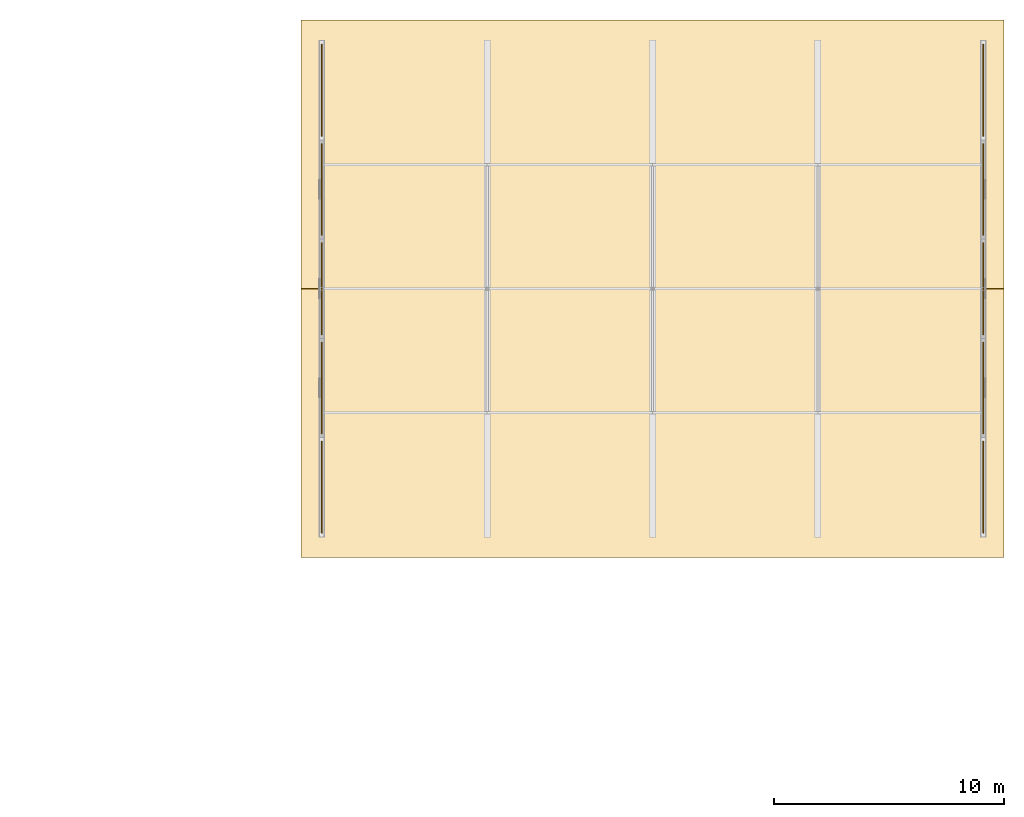
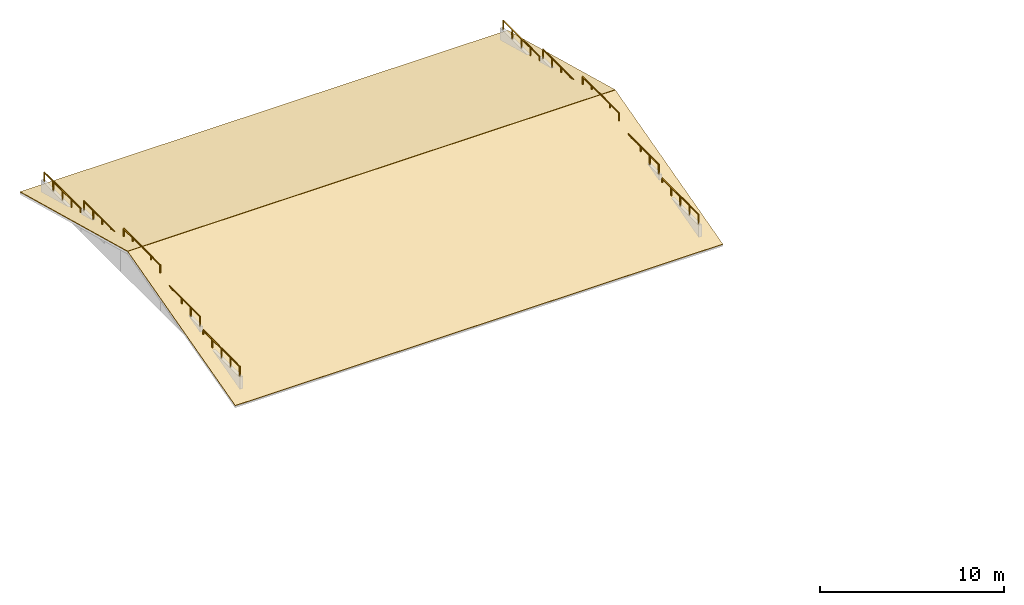
# One storey, part 22 of 22: 10 railings, 2 coverings.
"""IFC4 building model written with IfcOpenShell, lengths in metres."""

import ifcopenshell
import ifcopenshell.guid

model = None  # the IFC model being written
_history = None  # IfcOwnerHistory: only IFC2X3 demands one
_inside = {}  # id of a spatial element -> (the spatial element, [elements in it])
_under = {}  # id of a project, library or spatial element -> (it, [spatial elements below it])
_declared = {}  # id of a project -> (the project, [libraries it declares])
_typed = {}  # id of a type object -> (the type object, [elements of that type])
_made_of = {}  # id of a material, layer set ... -> (it, [elements and type objects made of it])


def new_model(schema):
    """Start an empty IFC model of exactly this schema.

    Asked for "IFC4X3", IfcOpenShell would pick the latest addendum, in which some entities
    have other attributes; the version numbers below select the first issue.
    IFC2X3 requires an IfcOwnerHistory on every rooted entity: one is made here for all.
    """
    global model, _history
    if schema == "IFC4X3":
        model = ifcopenshell.file(schema_version=(4, 3, 0, 0))
    else:
        model = ifcopenshell.file(schema=schema)
    _inside.clear()
    _under.clear()
    _declared.clear()
    _typed.clear()
    _made_of.clear()
    _history = None
    if model.schema == "IFC2X3":
        org = make("IfcOrganization", Name="unknown")
        user = make(
            "IfcPersonAndOrganization",
            ThePerson=make("IfcPerson", FamilyName="unknown"),
            TheOrganization=org,
        )
        app = make(
            "IfcApplication",
            ApplicationDeveloper=org,
            Version="unknown",
            ApplicationFullName="unknown",
            ApplicationIdentifier="unknown",
        )
        _history = make(
            "IfcOwnerHistory",
            OwningUser=user,
            OwningApplication=app,
            ChangeAction="ADDED",
            CreationDate=0,
        )
    return model


def make(cls, **values):
    """One entity of the class cls with the attributes given. An attribute that is None is left unset."""
    return model.create_entity(
        cls, **{name: value for name, value in values.items() if value is not None}
    )


def rooted(cls, **values):
    """An entity with a GlobalId (a new one), such as an element, a storey or a relation."""
    return make(cls, GlobalId=ifcopenshell.guid.new(), OwnerHistory=_history, **values)


def si_unit(unit_type, name, prefix=None):
    """IfcSIUnit, for example si_unit("LENGTHUNIT", "METRE", prefix="MILLI")."""
    return make("IfcSIUnit", UnitType=unit_type, Prefix=prefix, Name=name)


def assignment(units):
    """IfcUnitAssignment: the units of a project."""
    return None if units is None else make("IfcUnitAssignment", Units=units)


def point(xyz):
    """IfcCartesianPoint."""
    return None if xyz is None else make("IfcCartesianPoint", Coordinates=xyz)


def direction(xyz):
    """IfcDirection."""
    return None if xyz is None else make("IfcDirection", DirectionRatios=xyz)


def frame(location, z_axis=None, x_axis=None):
    """IfcAxis2Placement3D, a coordinate frame: its origin and axes. An axis left out is left unset."""
    return make(
        "IfcAxis2Placement3D",
        Location=point(location),
        Axis=direction(z_axis),
        RefDirection=direction(x_axis),
    )


def frame_2d(location, x_axis=None):
    """IfcAxis2Placement2D, a coordinate frame in the plane: its origin and x axis."""
    return make(
        "IfcAxis2Placement2D", Location=point(location), RefDirection=direction(x_axis)
    )


def origin():
    """The frame at (0, 0, 0) with its axes left unset."""
    return frame((0.0, 0.0, 0.0))


def origin_2d():
    """The frame at (0, 0) in the plane with its x axis left unset."""
    return frame_2d((0.0, 0.0))


def place(relative_to, where):
    """IfcLocalPlacement: puts the frame where relative to a parent placement (None: the world)."""
    return make(
        "IfcLocalPlacement", PlacementRelTo=relative_to, RelativePlacement=where
    )


def context(
    kind, dimensions, precision=None, world=None, true_north=None, identifier=None
):
    """IfcGeometricRepresentationContext, for example the 3D "Model" context."""
    return make(
        "IfcGeometricRepresentationContext",
        ContextIdentifier=identifier,
        ContextType=kind,
        CoordinateSpaceDimension=dimensions,
        Precision=precision,
        WorldCoordinateSystem=world,
        TrueNorth=true_north,
    )


def subcontext(parent, identifier, kind, view, scale=None):
    """IfcGeometricRepresentationSubContext, for example "Body" below "Model"."""
    return make(
        "IfcGeometricRepresentationSubContext",
        ContextIdentifier=identifier,
        ContextType=kind,
        ParentContext=parent,
        TargetScale=scale,
        TargetView=view,
    )


def project(units=None, contexts=None):
    """IfcProject with its units and contexts."""
    return rooted(
        "IfcProject",
        Name="project",
        RepresentationContexts=contexts,
        UnitsInContext=assignment(units),
    )


def spatial(cls, under=None, at=None, **own):
    """A site, building, storey or space (cls), placed at a placement, below another one or the project."""
    s = rooted(cls, ObjectPlacement=at, **own)
    if under is not None:
        _under.setdefault(under.id(), (under, []))[1].append(s)
    return s


def polyline(points):
    """IfcPolyline through the points."""
    return make("IfcPolyline", Points=[point(p) for p in points])


def profile(cls, at=None, kind="AREA", **sizes):
    """A parametric profile (cls). Its sizes go by their IFC names, for example OverallWidth=200.0."""
    return make(cls, ProfileType=kind, Position=at, **sizes)


def circle(**sizes):
    """IfcCircleProfileDef."""
    return profile("IfcCircleProfileDef", **sizes)


def outline(outer, holes=None, kind="AREA"):
    """IfcArbitraryClosedProfileDef: a profile drawn as a closed curve; with holes, ...WithVoids."""
    if holes is None:
        return make("IfcArbitraryClosedProfileDef", ProfileType=kind, OuterCurve=outer)
    return make(
        "IfcArbitraryProfileDefWithVoids",
        ProfileType=kind,
        OuterCurve=outer,
        InnerCurves=holes,
    )


def extrude(swept, where, along, depth):
    """IfcExtrudedAreaSolid: the profile swept, set in the frame where, extruded along a direction by depth."""
    return make(
        "IfcExtrudedAreaSolid",
        SweptArea=swept,
        Position=where,
        ExtrudedDirection=direction(along),
        Depth=depth,
    )


def shape(context_of_items, identifier, shape_type, items):
    """IfcShapeRepresentation: the items that make up one representation, for example the "Body"."""
    return make(
        "IfcShapeRepresentation",
        ContextOfItems=context_of_items,
        RepresentationIdentifier=identifier,
        RepresentationType=shape_type,
        Items=items,
    )


def material(Name=None, Category=None):
    """IfcMaterial."""
    return make("IfcMaterial", Name=Name, Category=Category)


def layer(
    of_material, thickness, ventilated=None, Name=None, Category=None, Priority=None
):
    """IfcMaterialLayer: one layer of a wall or slab, of a material (None: an air gap)."""
    return make(
        "IfcMaterialLayer",
        Material=of_material,
        LayerThickness=thickness,
        IsVentilated=ventilated,
        Name=Name,
        Category=Category,
        Priority=Priority,
    )


def layer_set(layers, Name=None):
    """IfcMaterialLayerSet."""
    return make("IfcMaterialLayerSet", MaterialLayers=layers, LayerSetName=Name)


def made_of(thing, what):
    """Note that an element or type object is made of a material, layer set ...; save() writes the relation."""
    if what is not None:
        _made_of.setdefault(what.id(), (what, []))[1].append(thing)
    return thing


def type_object(cls, material=None, **own):
    """A type object (cls), such as IfcWallType, which elements share."""
    return made_of(rooted(cls, **own), material)


def element(
    cls,
    number,
    at=None,
    inside=None,
    cuts=None,
    type_object=None,
    material=None,
    context=None,
    identifier="Body",
    shape_type=None,
    held_by="IfcProductDefinitionShape",
    body=None,
    shapes=None,
    **own,
):
    """One element of the class cls, such as IfcWall. Its Tag is "e" and its number.

    at: its placement. inside: the storey or other place that contains it. cuts: it is an
    opening in that element (IfcRelVoidsElement). A single representation is given by context,
    identifier, shape_type and body (its items); several are given by shapes. held_by: the class
    of the entity that holds the representations. save() writes the other relations.
    """
    e = rooted(cls, Tag="e%d" % number, ObjectPlacement=at, **own)
    if body is not None:
        shapes = [shape(context, identifier, shape_type, body)]
    if shapes is not None:
        e.Representation = make(held_by, Representations=shapes)
    if inside is not None:
        _inside.setdefault(inside.id(), (inside, []))[1].append(e)
    if cuts is not None:
        rooted(
            "IfcRelVoidsElement", RelatingBuildingElement=cuts, RelatedOpeningElement=e
        )
    if type_object is not None:
        _typed.setdefault(type_object.id(), (type_object, []))[1].append(e)
    return made_of(e, material)


def aggregate(whole, parts):
    """IfcRelAggregates: a whole, such as a stair, and the parts it consists of."""
    return rooted("IfcRelAggregates", RelatingObject=whole, RelatedObjects=parts)


def save(model, path):
    """Write the relations noted so far, then the file.

    IfcRelAggregates (storeys below a building ...), IfcRelContainedInSpatialStructure (elements
    in a storey), IfcRelDefinesByType, IfcRelAssociatesMaterial and IfcRelDeclares: one each for
    every whole, place, type object, material and project.
    """
    for whole, parts in _under.values():
        aggregate(whole, parts)
    for where, things in _inside.values():
        rooted(
            "IfcRelContainedInSpatialStructure",
            RelatedElements=things,
            RelatingStructure=where,
        )
    for kind, things in _typed.values():
        rooted("IfcRelDefinesByType", RelatedObjects=things, RelatingType=kind)
    for what, things in _made_of.values():
        rooted("IfcRelAssociatesMaterial", RelatedObjects=things, RelatingMaterial=what)
    for by, libraries in _declared.values():
        rooted("IfcRelDeclares", RelatingContext=by, RelatedDefinitions=libraries)
    model.write(path)


model = new_model("IFC4")

# Units and contexts
model_context = context("Model", 3, precision=1e-05, world=origin(), true_north=direction((0.0, 1.0)))
body_context = subcontext(model_context, "Body", "Model", "MODEL_VIEW")
ifc_project = project(units=[si_unit("LENGTHUNIT", "METRE"), si_unit("AREAUNIT", "SQUARE_METRE"), si_unit("VOLUMEUNIT", "CUBIC_METRE"), si_unit("PLANEANGLEUNIT", "RADIAN"), si_unit("MASSUNIT", "GRAM", prefix="KILO"), si_unit("THERMODYNAMICTEMPERATUREUNIT", "KELVIN"), si_unit("POWERUNIT", "WATT")], contexts=[model_context])

# Site, building, storey
site_placement = place(None, origin())
site = spatial("IfcSite", under=ifc_project, at=site_placement, CompositionType="ELEMENT")
building_placement = place(site_placement, origin())
building = spatial("IfcBuilding", under=site, at=building_placement, Name="Tavuni Mirador Residences", CompositionType="ELEMENT")
storey_placement = place(building_placement, frame((0.0, 0.0, 45.449951171875)))
storey = spatial("IfcBuildingStorey", under=building, at=storey_placement, Name="L14", CompositionType="ELEMENT", Elevation=45.449951171875)

# Coverings
ifc_material_1 = material(Name="Glazed ceramic roof tile", Category="masonry")
ifc_layer = layer(ifc_material_1, 0.044921875, Name="Glazed ceramic roof tile", Category="masonry")
ifc_layer_set = layer_set([ifc_layer], Name="Glazed ceramic roof tile")
covering_type = type_object("IfcCoveringType", Name="CVT-ROOF-TILE", PredefinedType="ROOFING", material=ifc_layer_set)
for number, where, z_axis, x_axis, name in (
    (1, (17.10009765625, 150.300048828125, -0.196533203125), (0.0, -0.259575572579, 0.965722797764), (1.0, 0.0, 0.0), "COV-RF-BLK-C-S"),
    (2, (17.10009765625, 162.011962890625, 2.945068359375), (0.0, 0.259575572579, 0.965722797764), (1.0, 0.0, 0.0), "COV-RF-BLK-C-N"),
):
    element("IfcCovering", number, at=place(storey_placement, frame(where, z_axis=z_axis, x_axis=x_axis)), inside=storey, type_object=covering_type, Name=name, PredefinedType="ROOFING", context=body_context, shape_type="SweptSolid", body=[
        extrude(outline(polyline([(0.0, 0.0), (30.599853515625, 0.0), (30.599853515625, 12.10283976759751), (0.0, 12.10283976759751), (0.0, 0.0)])), origin(), (0.0, 0.0, -1.0), 0.044921875),
    ])

# Railings
ifc_material_2 = material(Name="Structural steel S355", Category="steel")
railing_type = type_object("IfcRailingType", Name="RT-CR650", PredefinedType="BALUSTRADE", material=ifc_material_2)
railing_1_placement = place(storey_placement, frame((18.0, 151.3798828125, 0.800048828125)))
element("IfcRailing", 3, at=railing_1_placement, inside=storey, type_object=railing_type, Name="CREST-BLK-C-Y0-0", PredefinedType="BALUSTRADE", context=body_context, shape_type="SweptSolid", body=[
    extrude(circle(Radius=0.02392578125, at=origin_2d()), frame((0.0, 0.0, 0.6259765625), z_axis=(0.0, 1.0, 0.0), x_axis=(-1.0, 0.0, 0.0)), (0.0, 0.0, 1.0), 3.960205078125),
    extrude(circle(Radius=0.02099609375, at=origin_2d()), origin(), (0.0, 0.0, 1.0), 0.601806640625),
    extrude(circle(Radius=0.02099609375, at=origin_2d()), frame((0.0, 0.989990234375, 0.0)), (0.0, 0.0, 1.0), 0.601806640625),
    extrude(circle(Radius=0.02099609375, at=origin_2d()), frame((0.0, 1.97998046875, 0.0)), (0.0, 0.0, 1.0), 0.601806640625),
    extrude(circle(Radius=0.02099609375, at=origin_2d()), frame((0.0, 2.97021484375, 0.0)), (0.0, 0.0, 1.0), 0.601806640625),
    extrude(circle(Radius=0.02099609375, at=origin_2d()), frame((0.0, 3.960205078125, 0.0)), (0.0, 0.0, 1.0), 0.601806640625),
])
for number, where, name in (
    (4, (18.0, 155.699951171875, 1.5), "CREST-BLK-C-Y0-1"),
    (5, (18.0, 160.02001953125, 2.300048828125), "CREST-BLK-C-Y0-2"),
    (6, (18.0, 164.340087890625, 1.5), "CREST-BLK-C-Y0-3"),
):
    element("IfcRailing", number, at=place(storey_placement, frame(where)), inside=storey, type_object=railing_type, Name=name, PredefinedType="BALUSTRADE", context=body_context, shape_type="SweptSolid", body=[
        extrude(circle(Radius=0.02392578125, at=origin_2d()), frame((0.0, 0.0, 0.6259765625), z_axis=(0.0, 1.0, 0.0), x_axis=(-1.0, 0.0, 0.0)), (0.0, 0.0, 1.0), 3.9599609375),
        extrude(circle(Radius=0.02099609375, at=origin_2d()), origin(), (0.0, 0.0, 1.0), 0.601806640625),
        extrude(circle(Radius=0.02099609375, at=origin_2d()), frame((0.0, 0.989990234375, 0.0)), (0.0, 0.0, 1.0), 0.601806640625),
        extrude(circle(Radius=0.02099609375, at=origin_2d()), frame((0.0, 1.97998046875, 0.0)), (0.0, 0.0, 1.0), 0.601806640625),
        extrude(circle(Radius=0.02099609375, at=origin_2d()), frame((0.0, 2.969970703125, 0.0)), (0.0, 0.0, 1.0), 0.601806640625),
        extrude(circle(Radius=0.02099609375, at=origin_2d()), frame((0.0, 3.9599609375, 0.0)), (0.0, 0.0, 1.0), 0.601806640625),
    ])
for number, where, name in (
    (7, (18.0, 168.659912109375, 0.800048828125), "CREST-BLK-C-Y0-4"),
    (8, (46.800048828125, 151.3798828125, 0.800048828125), "CREST-BLK-C-Y1-0"),
):
    element("IfcRailing", number, at=place(storey_placement, frame(where)), inside=storey, type_object=railing_type, Name=name, PredefinedType="BALUSTRADE", context=body_context, shape_type="SweptSolid", body=[
        extrude(circle(Radius=0.02392578125, at=origin_2d()), frame((0.0, 0.0, 0.6259765625), z_axis=(0.0, 1.0, 0.0), x_axis=(-1.0, 0.0, 0.0)), (0.0, 0.0, 1.0), 3.960205078125),
        extrude(circle(Radius=0.02099609375, at=origin_2d()), origin(), (0.0, 0.0, 1.0), 0.601806640625),
        extrude(circle(Radius=0.02099609375, at=origin_2d()), frame((0.0, 0.989990234375, 0.0)), (0.0, 0.0, 1.0), 0.601806640625),
        extrude(circle(Radius=0.02099609375, at=origin_2d()), frame((0.0, 1.97998046875, 0.0)), (0.0, 0.0, 1.0), 0.601806640625),
        extrude(circle(Radius=0.02099609375, at=origin_2d()), frame((0.0, 2.97021484375, 0.0)), (0.0, 0.0, 1.0), 0.601806640625),
        extrude(circle(Radius=0.02099609375, at=origin_2d()), frame((0.0, 3.960205078125, 0.0)), (0.0, 0.0, 1.0), 0.601806640625),
    ])
for number, where, name in (
    (9, (46.800048828125, 155.699951171875, 1.5), "CREST-BLK-C-Y1-1"),
    (10, (46.800048828125, 160.02001953125, 2.300048828125), "CREST-BLK-C-Y1-2"),
    (11, (46.800048828125, 164.340087890625, 1.5), "CREST-BLK-C-Y1-3"),
):
    element("IfcRailing", number, at=place(storey_placement, frame(where)), inside=storey, type_object=railing_type, Name=name, PredefinedType="BALUSTRADE", context=body_context, shape_type="SweptSolid", body=[
        extrude(circle(Radius=0.02392578125, at=origin_2d()), frame((0.0, 0.0, 0.6259765625), z_axis=(0.0, 1.0, 0.0), x_axis=(-1.0, 0.0, 0.0)), (0.0, 0.0, 1.0), 3.9599609375),
        extrude(circle(Radius=0.02099609375, at=origin_2d()), origin(), (0.0, 0.0, 1.0), 0.601806640625),
        extrude(circle(Radius=0.02099609375, at=origin_2d()), frame((0.0, 0.989990234375, 0.0)), (0.0, 0.0, 1.0), 0.601806640625),
        extrude(circle(Radius=0.02099609375, at=origin_2d()), frame((0.0, 1.97998046875, 0.0)), (0.0, 0.0, 1.0), 0.601806640625),
        extrude(circle(Radius=0.02099609375, at=origin_2d()), frame((0.0, 2.969970703125, 0.0)), (0.0, 0.0, 1.0), 0.601806640625),
        extrude(circle(Radius=0.02099609375, at=origin_2d()), frame((0.0, 3.9599609375, 0.0)), (0.0, 0.0, 1.0), 0.601806640625),
    ])
railing_2_placement = place(storey_placement, frame((46.800048828125, 168.659912109375, 0.800048828125)))
element("IfcRailing", 12, at=railing_2_placement, inside=storey, type_object=railing_type, Name="CREST-BLK-C-Y1-4", PredefinedType="BALUSTRADE", context=body_context, shape_type="SweptSolid", body=[
    extrude(circle(Radius=0.02392578125, at=origin_2d()), frame((0.0, 0.0, 0.6259765625), z_axis=(0.0, 1.0, 0.0), x_axis=(-1.0, 0.0, 0.0)), (0.0, 0.0, 1.0), 3.960205078125),
    extrude(circle(Radius=0.02099609375, at=origin_2d()), origin(), (0.0, 0.0, 1.0), 0.601806640625),
    extrude(circle(Radius=0.02099609375, at=origin_2d()), frame((0.0, 0.989990234375, 0.0)), (0.0, 0.0, 1.0), 0.601806640625),
    extrude(circle(Radius=0.02099609375, at=origin_2d()), frame((0.0, 1.97998046875, 0.0)), (0.0, 0.0, 1.0), 0.601806640625),
    extrude(circle(Radius=0.02099609375, at=origin_2d()), frame((0.0, 2.97021484375, 0.0)), (0.0, 0.0, 1.0), 0.601806640625),
    extrude(circle(Radius=0.02099609375, at=origin_2d()), frame((0.0, 3.960205078125, 0.0)), (0.0, 0.0, 1.0), 0.601806640625),
])

save(model, "model.ifc")
